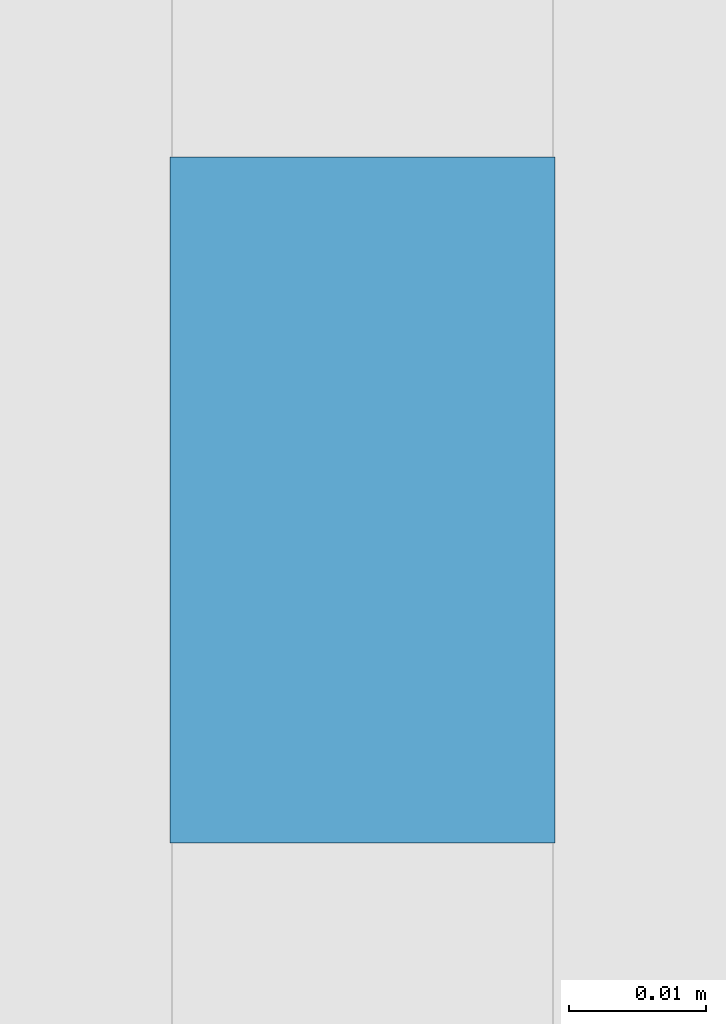
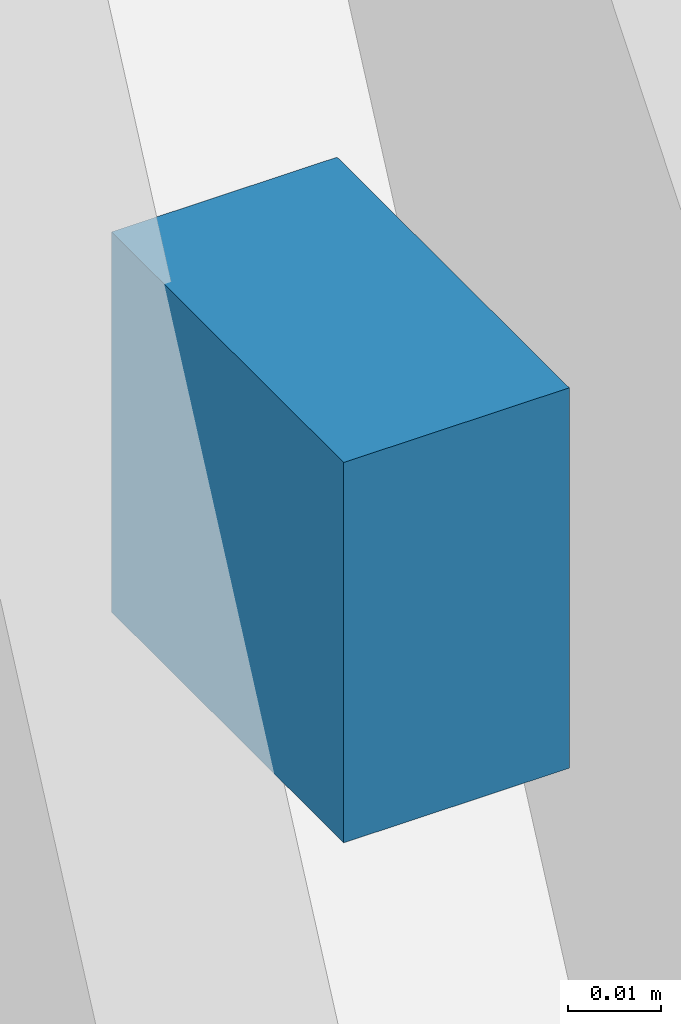
# One storey, part 21 of 26: 1 discrete accessory, 1 element without a shape of its own.
"""IFC4 building model written with IfcOpenShell, lengths in metres."""

from ifc_helpers import new_model, si_unit, direction, frame, origin, origin_2d, place, context, subcontext, project, spatial, rectangle, extrude, material, type_object, element, aggregate, save


model = new_model("IFC4")

# Units and contexts
model_context = context("Model", 3, precision=1e-05, world=origin(), true_north=direction((0.0, 1.0)))
body_context = subcontext(model_context, "Body", "Model", "MODEL_VIEW")
ifc_project = project(units=[si_unit("LENGTHUNIT", "METRE"), si_unit("AREAUNIT", "SQUARE_METRE"), si_unit("VOLUMEUNIT", "CUBIC_METRE"), si_unit("PLANEANGLEUNIT", "RADIAN"), si_unit("MASSUNIT", "GRAM", prefix="KILO")], contexts=[model_context])

# Site, building, storey
site_placement = place(None, origin())
site = spatial("IfcSite", under=ifc_project, at=site_placement, CompositionType="ELEMENT")
building_placement = place(site_placement, origin())
building = spatial("IfcBuilding", under=site, at=building_placement, Name="Tessera Arch", CompositionType="ELEMENT")
storey_placement = place(building_placement, frame((0.0, 0.0, 96.800048828125)))
storey = spatial("IfcBuildingStorey", under=building, at=storey_placement, Name="L22", CompositionType="ELEMENT", Elevation=96.800048828125)

# Curtain wall, discrete accessory
ifc_material = material(Name="CW3 curtain wall")
curtain_wall_type = type_object("IfcCurtainWallType", Name="CW3 curtain wall", PredefinedType="NOTDEFINED", material=ifc_material)
curtain_wall_placement = place(storey_placement, origin())
curtain_wall = element("IfcCurtainWall", 1, at=curtain_wall_placement, inside=storey, type_object=curtain_wall_type, Name="CW3 curtain wall W0.27/1 L22", PredefinedType="NOTDEFINED")
discrete_accessory_placement = place(storey_placement, frame((-0.0439453125, 39.989013671875, 1.0537109375), z_axis=(0.0, 0.0, 1.0), x_axis=(0.0, -1.0, 0.0)))
discrete_accessory = element("IfcDiscreteAccessory", 2, at=discrete_accessory_placement, Name="Glazing bracket", PredefinedType="BRACKET", context=body_context, shape_type="SweptSolid", body=[
    extrude(rectangle(XDim=0.050048828125, YDim=0.028076171875, at=origin_2d()), origin(), (0.0, 0.0, 1.0), 0.050048828125),
])
aggregate(curtain_wall, [discrete_accessory])

save(model, "model.ifc")
